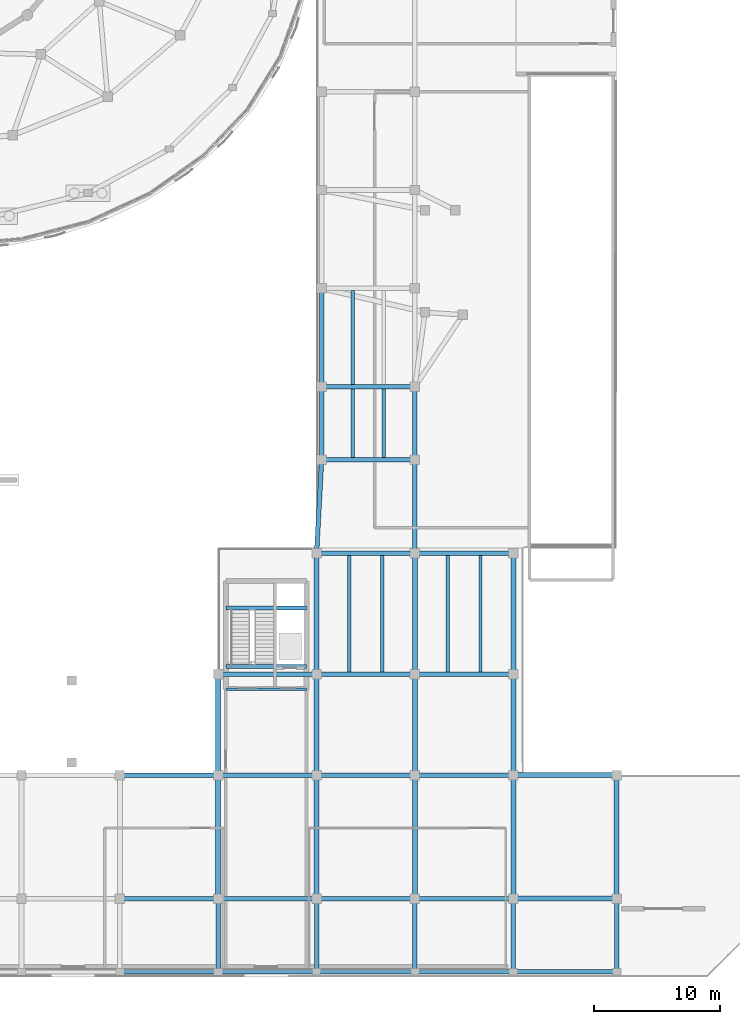
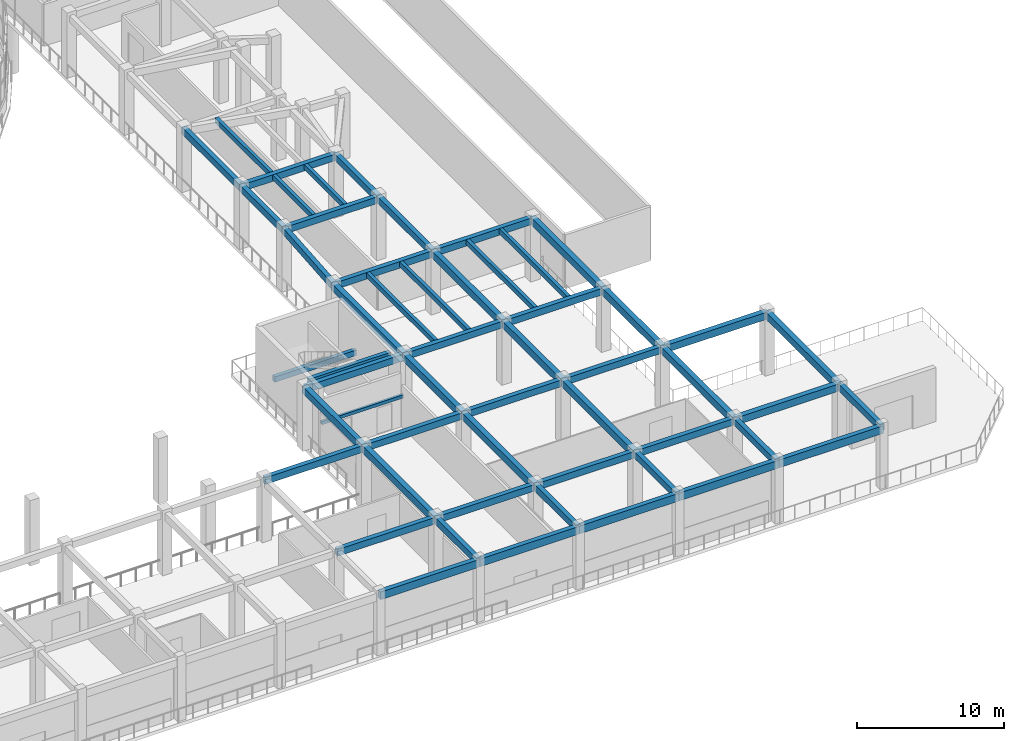
# One storey, part 49 of 96: 54 beams.
"""IFC4 building model written with IfcOpenShell, lengths in metres."""

from ifc_helpers import new_model, si_unit, direction, frame, origin, origin_2d, place, context, subcontext, project, spatial, rectangle, extrude, material, material_profile, profile_set, type_object, element, save


model = new_model("IFC4")

# Units and contexts
model_context = context("Model", 3, precision=1e-05, world=origin(), true_north=direction((0.0, 1.0)))
body_context = subcontext(model_context, "Body", "Model", "MODEL_VIEW")
ifc_project = project(units=[si_unit("LENGTHUNIT", "METRE"), si_unit("AREAUNIT", "SQUARE_METRE"), si_unit("VOLUMEUNIT", "CUBIC_METRE"), si_unit("PLANEANGLEUNIT", "RADIAN"), si_unit("MASSUNIT", "GRAM", prefix="KILO")], contexts=[model_context])

# Site, building, storey
site_placement = place(None, origin())
site = spatial("IfcSite", under=ifc_project, at=site_placement, CompositionType="ELEMENT")
building_placement = place(site_placement, origin())
building = spatial("IfcBuilding", under=site, at=building_placement, Name="Pelvatis Terrace Science Centre", CompositionType="ELEMENT")
storey_placement = place(building_placement, origin())
storey = spatial("IfcBuildingStorey", under=building, at=storey_placement, Name="L00", CompositionType="ELEMENT", Elevation=0.0)

# Beams
ifc_material_1 = material(Name="Concrete C35/45", Category="concrete")
ifc_material_profile_1 = material_profile(ifc_material_1, rectangle(XDim=0.300048828125, YDim=0.449951171875, at=origin_2d()), Name="RC-BM 300x450")
ifc_profile_set_1 = profile_set([ifc_material_profile_1], Name="Concrete C35/45")
beam_type_1 = type_object("IfcBeamType", Name="BM-RC-300x450", PredefinedType="BEAM", material=ifc_profile_set_1)
beam_1_placement = place(storey_placement, frame((133.199951171875, 29.25, 2.27490234375), z_axis=(1.0, 0.0, 0.0), x_axis=(0.0, 1.0, 0.0)))
element("IfcBeam", 1, at=beam_1_placement, inside=storey, type_object=beam_type_1, Name="Core C4 half-landing beam (L00)", PredefinedType="BEAM", context=body_context, shape_type="SweptSolid", body=[
    extrude(rectangle(XDim=0.300048828125, YDim=0.449951171875, at=origin_2d()), origin(), (0.0, 0.0, 1.0), 6.400146484375),
])
ifc_material_2 = material(Name="Concrete C35/45", Category="concrete")
ifc_material_profile_2 = material_profile(ifc_material_2, rectangle(XDim=0.320068359375, YDim=0.47998046875, at=origin_2d()), Name="RC-BM 320x480")
ifc_profile_set_2 = profile_set([ifc_material_profile_2], Name="Concrete C35/45")
beam_type_2 = type_object("IfcBeamType", Name="BM-RC-320x480", PredefinedType="BEAM", material=ifc_profile_set_2)
beam_2_placement = place(storey_placement, frame((133.199951171875, 24.60009765625, 4.89990234375), z_axis=(1.0, 0.0, 0.0), x_axis=(0.0, 1.0, 0.0)))
element("IfcBeam", 2, at=beam_2_placement, inside=storey, type_object=beam_type_2, Name="Core C4 stair header beam (L00)", PredefinedType="BEAM", context=body_context, shape_type="SweptSolid", body=[
    extrude(rectangle(XDim=0.320068359375, YDim=0.47998046875, at=origin_2d()), origin(), (0.0, 0.0, 1.0), 6.400146484375),
])
ifc_material_3 = material(Name="Concrete C35/45", Category="concrete")
ifc_material_profile_3 = material_profile(ifc_material_3, rectangle(XDim=0.360107421875, YDim=0.550048828125, at=origin_2d()), Name="RC-BM 360x550")
ifc_profile_set_3 = profile_set([ifc_material_profile_3], Name="Concrete C35/45")
beam_type_3 = type_object("IfcBeamType", Name="BM-RC-360x550", PredefinedType="BEAM", material=ifc_profile_set_3)
for number, where, z_axis, x_axis, name in (
    (3, (124.800048828125, 6.199951171875, 4.864990234375), (1.0, 0.0, 0.0), (0.0, 1.0, 0.0), "Beam BM-L00-2437"),
    (4, (124.800048828125, 16.0, 4.864990234375), (1.0, 0.0, 0.0), (0.0, 1.0, 0.0), "Beam BM-L00-2438"),
):
    element("IfcBeam", number, at=place(storey_placement, frame(where, z_axis=z_axis, x_axis=x_axis)), inside=storey, type_object=beam_type_3, Name=name, PredefinedType="BEAM", context=body_context, shape_type="SweptSolid", body=[
        extrude(rectangle(XDim=0.360107421875, YDim=0.550048828125, at=origin_2d()), origin(), (0.0, 0.0, 1.0), 7.800048828125),
    ])
beam_3_placement = place(storey_placement, frame((132.60009765625, 0.39990234375, 4.864990234375), z_axis=(0.0, 1.0, 0.0), x_axis=(-1.0, 0.0, 0.0)))
element("IfcBeam", 5, at=beam_3_placement, inside=storey, type_object=beam_type_3, Name="Beam BM-L00-2439", PredefinedType="BEAM", context=body_context, shape_type="SweptSolid", body=[
    extrude(rectangle(XDim=0.360107421875, YDim=0.550048828125, at=origin_2d()), origin(), (0.0, 0.0, 1.0), 5.800048828125),
])
for number, where, z_axis, x_axis, name in (
    (6, (132.60009765625, 6.199951171875, 4.864990234375), (1.0, 0.0, 0.0), (0.0, 1.0, 0.0), "Beam BM-L00-2442"),
    (7, (132.60009765625, 16.0, 4.864990234375), (1.0, 0.0, 0.0), (0.0, 1.0, 0.0), "Beam BM-L00-2444"),
    (8, (132.60009765625, 24.0, 4.864990234375), (1.0, 0.0, 0.0), (0.0, 1.0, 0.0), "Beam BM-L00-2445"),
):
    element("IfcBeam", number, at=place(storey_placement, frame(where, z_axis=z_axis, x_axis=x_axis)), inside=storey, type_object=beam_type_3, Name=name, PredefinedType="BEAM", context=body_context, shape_type="SweptSolid", body=[
        extrude(rectangle(XDim=0.360107421875, YDim=0.550048828125, at=origin_2d()), origin(), (0.0, 0.0, 1.0), 7.7998046875),
    ])
beam_4_placement = place(storey_placement, frame((140.39990234375, 0.39990234375, 4.864990234375), z_axis=(0.0, 1.0, 0.0), x_axis=(-1.0, 0.0, 0.0)))
element("IfcBeam", 9, at=beam_4_placement, inside=storey, type_object=beam_type_3, Name="Beam BM-L00-2446", PredefinedType="BEAM", context=body_context, shape_type="SweptSolid", body=[
    extrude(rectangle(XDim=0.360107421875, YDim=0.550048828125, at=origin_2d()), origin(), (0.0, 0.0, 1.0), 5.800048828125),
])
for number, where, z_axis, x_axis, name in (
    (10, (140.39990234375, 6.199951171875, 4.864990234375), (1.0, 0.0, 0.0), (0.0, 1.0, 0.0), "Beam BM-L00-2449"),
    (11, (140.39990234375, 16.0, 4.864990234375), (1.0, 0.0, 0.0), (0.0, 1.0, 0.0), "Beam BM-L00-2451"),
    (12, (140.39990234375, 24.0, 4.864990234375), (1.0, 0.0, 0.0), (0.0, 1.0, 0.0), "Beam BM-L00-2453"),
    (13, (140.39990234375, 33.60009765625, 4.864990234375), (1.0, 0.0, 0.0), (0.0, 1.0, 0.0), "Beam BM-L00-2454"),
):
    element("IfcBeam", number, at=place(storey_placement, frame(where, z_axis=z_axis, x_axis=x_axis)), inside=storey, type_object=beam_type_3, Name=name, PredefinedType="BEAM", context=body_context, shape_type="SweptSolid", body=[
        extrude(rectangle(XDim=0.360107421875, YDim=0.550048828125, at=origin_2d()), origin(), (0.0, 0.0, 1.0), 7.800048828125),
    ])
beam_5_placement = place(storey_placement, frame((140.39990234375, 33.60009765625, 4.864990234375), z_axis=(0.05399567722, 0.998541169327, 0.0), x_axis=(-0.998541169327, 0.05399567722, 0.0)))
element("IfcBeam", 14, at=beam_5_placement, inside=storey, type_object=beam_type_3, Name="Beam BM-L00-2455", PredefinedType="BEAM", context=body_context, shape_type="SweptSolid", body=[
    extrude(rectangle(XDim=0.360107421875, YDim=0.550048828125, at=origin_2d()), origin(), (0.0, 0.0, 1.0), 7.41064453125),
])
beam_6_placement = place(storey_placement, frame((148.199951171875, 0.39990234375, 4.864990234375), z_axis=(0.0, 1.0, 0.0), x_axis=(-1.0, 0.0, 0.0)))
element("IfcBeam", 15, at=beam_6_placement, inside=storey, type_object=beam_type_3, Name="Beam BM-L00-2456", PredefinedType="BEAM", context=body_context, shape_type="SweptSolid", body=[
    extrude(rectangle(XDim=0.360107421875, YDim=0.550048828125, at=origin_2d()), origin(), (0.0, 0.0, 1.0), 5.800048828125),
])
for number, where, z_axis, x_axis, name in (
    (16, (148.199951171875, 6.199951171875, 4.864990234375), (1.0, 0.0, 0.0), (0.0, 1.0, 0.0), "Beam BM-L00-2459"),
    (17, (148.199951171875, 16.0, 4.864990234375), (1.0, 0.0, 0.0), (0.0, 1.0, 0.0), "Beam BM-L00-2461"),
    (18, (148.199951171875, 24.0, 4.864990234375), (1.0, 0.0, 0.0), (0.0, 1.0, 0.0), "Beam BM-L00-2463"),
    (19, (148.199951171875, 33.60009765625, 4.864990234375), (1.0, 0.0, 0.0), (0.0, 1.0, 0.0), "Beam BM-L00-2464"),
):
    element("IfcBeam", number, at=place(storey_placement, frame(where, z_axis=z_axis, x_axis=x_axis)), inside=storey, type_object=beam_type_3, Name=name, PredefinedType="BEAM", context=body_context, shape_type="SweptSolid", body=[
        extrude(rectangle(XDim=0.360107421875, YDim=0.550048828125, at=origin_2d()), origin(), (0.0, 0.0, 1.0), 7.800048828125),
    ])
beam_7_placement = place(storey_placement, frame((148.199951171875, 33.60009765625, 4.864990234375), z_axis=(0.0, 1.0, 0.0), x_axis=(-1.0, 0.0, 0.0)))
element("IfcBeam", 20, at=beam_7_placement, inside=storey, type_object=beam_type_3, Name="Beam BM-L00-2465", PredefinedType="BEAM", context=body_context, shape_type="SweptSolid", body=[
    extrude(rectangle(XDim=0.360107421875, YDim=0.550048828125, at=origin_2d()), origin(), (0.0, 0.0, 1.0), 7.39990234375),
])
for number, where, z_axis, x_axis, name in (
    (21, (156.0, 0.39990234375, 4.864990234375), (0.0, 1.0, 0.0), (-1.0, 0.0, 0.0), "Beam BM-L00-2466"),
    (22, (164.199951171875, 0.39990234375, 4.864990234375), (0.0, 1.0, 0.0), (-1.0, 0.0, 0.0), "Beam BM-L00-2473"),
    (23, (140.800048828125, 41.0, 4.864990234375), (0.0, 1.0, 0.0), (-1.0, 0.0, 0.0), "Beam BM-L00-2476"),
):
    element("IfcBeam", number, at=place(storey_placement, frame(where, z_axis=z_axis, x_axis=x_axis)), inside=storey, type_object=beam_type_3, Name=name, PredefinedType="BEAM", context=body_context, shape_type="SweptSolid", body=[
        extrude(rectangle(XDim=0.360107421875, YDim=0.550048828125, at=origin_2d()), origin(), (0.0, 0.0, 1.0), 5.800048828125),
    ])
beam_8_placement = place(storey_placement, frame((140.800048828125, 41.0, 4.864990234375), z_axis=(1.0, 0.0, 0.0), x_axis=(0.0, 1.0, 0.0)))
element("IfcBeam", 24, at=beam_8_placement, inside=storey, type_object=beam_type_3, Name="Beam BM-L00-2477", PredefinedType="BEAM", context=body_context, shape_type="SweptSolid", body=[
    extrude(rectangle(XDim=0.360107421875, YDim=0.550048828125, at=origin_2d()), origin(), (0.0, 0.0, 1.0), 7.39990234375),
])
beam_9_placement = place(storey_placement, frame((140.800048828125, 46.800048828125, 4.864990234375), z_axis=(0.0, 1.0, 0.0), x_axis=(-1.0, 0.0, 0.0)))
element("IfcBeam", 25, at=beam_9_placement, inside=storey, type_object=beam_type_3, Name="Beam BM-L00-2478", PredefinedType="BEAM", context=body_context, shape_type="SweptSolid", body=[
    extrude(rectangle(XDim=0.360107421875, YDim=0.550048828125, at=origin_2d()), origin(), (0.0, 0.0, 1.0), 7.800048828125),
])
beam_10_placement = place(storey_placement, frame((140.800048828125, 46.800048828125, 4.864990234375), z_axis=(1.0, 0.0, 0.0), x_axis=(0.0, 1.0, 0.0)))
element("IfcBeam", 26, at=beam_10_placement, inside=storey, type_object=beam_type_3, Name="Beam BM-L00-2479", PredefinedType="BEAM", context=body_context, shape_type="SweptSolid", body=[
    extrude(rectangle(XDim=0.360107421875, YDim=0.550048828125, at=origin_2d()), origin(), (0.0, 0.0, 1.0), 7.39990234375),
])
beam_11_placement = place(storey_placement, frame((148.199951171875, 41.0, 4.864990234375), z_axis=(0.0, 1.0, 0.0), x_axis=(-1.0, 0.0, 0.0)))
element("IfcBeam", 27, at=beam_11_placement, inside=storey, type_object=beam_type_3, Name="Beam BM-L00-2490", PredefinedType="BEAM", context=body_context, shape_type="SweptSolid", body=[
    extrude(rectangle(XDim=0.360107421875, YDim=0.550048828125, at=origin_2d()), origin(), (0.0, 0.0, 1.0), 5.800048828125),
])
ifc_material_4 = material(Name="Concrete C35/45", Category="concrete")
ifc_material_profile_4 = material_profile(ifc_material_4, rectangle(XDim=0.39990234375, YDim=0.60009765625, at=origin_2d()), Name="RC-BM 400x600")
ifc_profile_set_4 = profile_set([ifc_material_profile_4], Name="Concrete C35/45")
beam_type_4 = type_object("IfcBeamType", Name="BM-RC-400x600", PredefinedType="BEAM", material=ifc_profile_set_4)
beam_12_placement = place(storey_placement, frame((132.60009765625, 6.199951171875, 4.840087890625), z_axis=(0.0, 1.0, 0.0), x_axis=(-1.0, 0.0, 0.0)))
element("IfcBeam", 28, at=beam_12_placement, inside=storey, type_object=beam_type_4, Name="Beam BM-L00-2441", PredefinedType="BEAM", context=body_context, shape_type="SweptSolid", body=[
    extrude(rectangle(XDim=0.39990234375, YDim=0.60009765625, at=origin_2d()), origin(), (0.0, 0.0, 1.0), 9.800048828125),
])
beam_13_placement = place(storey_placement, frame((132.60009765625, 16.0, 4.840087890625), z_axis=(0.0, 1.0, 0.0), x_axis=(-1.0, 0.0, 0.0)))
element("IfcBeam", 29, at=beam_13_placement, inside=storey, type_object=beam_type_4, Name="Beam BM-L00-2443", PredefinedType="BEAM", context=body_context, shape_type="SweptSolid", body=[
    extrude(rectangle(XDim=0.39990234375, YDim=0.60009765625, at=origin_2d()), origin(), (0.0, 0.0, 1.0), 8.0),
])
beam_14_placement = place(storey_placement, frame((140.39990234375, 6.199951171875, 4.840087890625), z_axis=(0.0, 1.0, 0.0), x_axis=(-1.0, 0.0, 0.0)))
element("IfcBeam", 30, at=beam_14_placement, inside=storey, type_object=beam_type_4, Name="Beam BM-L00-2448", PredefinedType="BEAM", context=body_context, shape_type="SweptSolid", body=[
    extrude(rectangle(XDim=0.39990234375, YDim=0.60009765625, at=origin_2d()), origin(), (0.0, 0.0, 1.0), 9.800048828125),
])
beam_15_placement = place(storey_placement, frame((140.39990234375, 16.0, 4.840087890625), z_axis=(0.0, 1.0, 0.0), x_axis=(-1.0, 0.0, 0.0)))
element("IfcBeam", 31, at=beam_15_placement, inside=storey, type_object=beam_type_4, Name="Beam BM-L00-2450", PredefinedType="BEAM", context=body_context, shape_type="SweptSolid", body=[
    extrude(rectangle(XDim=0.39990234375, YDim=0.60009765625, at=origin_2d()), origin(), (0.0, 0.0, 1.0), 8.0),
])
beam_16_placement = place(storey_placement, frame((140.39990234375, 24.0, 4.840087890625), z_axis=(0.0, 1.0, 0.0), x_axis=(-1.0, 0.0, 0.0)))
element("IfcBeam", 32, at=beam_16_placement, inside=storey, type_object=beam_type_4, Name="Beam BM-L00-2452", PredefinedType="BEAM", context=body_context, shape_type="SweptSolid", body=[
    extrude(rectangle(XDim=0.39990234375, YDim=0.60009765625, at=origin_2d()), origin(), (0.0, 0.0, 1.0), 9.60009765625),
])
beam_17_placement = place(storey_placement, frame((148.199951171875, 6.199951171875, 4.840087890625), z_axis=(0.0, 1.0, 0.0), x_axis=(-1.0, 0.0, 0.0)))
element("IfcBeam", 33, at=beam_17_placement, inside=storey, type_object=beam_type_4, Name="Beam BM-L00-2458", PredefinedType="BEAM", context=body_context, shape_type="SweptSolid", body=[
    extrude(rectangle(XDim=0.39990234375, YDim=0.60009765625, at=origin_2d()), origin(), (0.0, 0.0, 1.0), 9.800048828125),
])
beam_18_placement = place(storey_placement, frame((148.199951171875, 16.0, 4.840087890625), z_axis=(0.0, 1.0, 0.0), x_axis=(-1.0, 0.0, 0.0)))
element("IfcBeam", 34, at=beam_18_placement, inside=storey, type_object=beam_type_4, Name="Beam BM-L00-2460", PredefinedType="BEAM", context=body_context, shape_type="SweptSolid", body=[
    extrude(rectangle(XDim=0.39990234375, YDim=0.60009765625, at=origin_2d()), origin(), (0.0, 0.0, 1.0), 8.0),
])
beam_19_placement = place(storey_placement, frame((148.199951171875, 24.0, 4.840087890625), z_axis=(0.0, 1.0, 0.0), x_axis=(-1.0, 0.0, 0.0)))
element("IfcBeam", 35, at=beam_19_placement, inside=storey, type_object=beam_type_4, Name="Beam BM-L00-2462", PredefinedType="BEAM", context=body_context, shape_type="SweptSolid", body=[
    extrude(rectangle(XDim=0.39990234375, YDim=0.60009765625, at=origin_2d()), origin(), (0.0, 0.0, 1.0), 9.60009765625),
])
beam_20_placement = place(storey_placement, frame((156.0, 6.199951171875, 4.840087890625), z_axis=(0.0, 1.0, 0.0), x_axis=(-1.0, 0.0, 0.0)))
element("IfcBeam", 36, at=beam_20_placement, inside=storey, type_object=beam_type_4, Name="Beam BM-L00-2468", PredefinedType="BEAM", context=body_context, shape_type="SweptSolid", body=[
    extrude(rectangle(XDim=0.39990234375, YDim=0.60009765625, at=origin_2d()), origin(), (0.0, 0.0, 1.0), 9.800048828125),
])
beam_21_placement = place(storey_placement, frame((156.0, 6.199951171875, 4.840087890625), z_axis=(1.0, 0.0, 0.0), x_axis=(0.0, 1.0, 0.0)))
element("IfcBeam", 37, at=beam_21_placement, inside=storey, type_object=beam_type_4, Name="Beam BM-L00-2469", PredefinedType="BEAM", context=body_context, shape_type="SweptSolid", body=[
    extrude(rectangle(XDim=0.39990234375, YDim=0.60009765625, at=origin_2d()), origin(), (0.0, 0.0, 1.0), 8.199951171875),
])
beam_22_placement = place(storey_placement, frame((156.0, 16.0, 4.840087890625), z_axis=(0.0, 1.0, 0.0), x_axis=(-1.0, 0.0, 0.0)))
element("IfcBeam", 38, at=beam_22_placement, inside=storey, type_object=beam_type_4, Name="Beam BM-L00-2470", PredefinedType="BEAM", context=body_context, shape_type="SweptSolid", body=[
    extrude(rectangle(XDim=0.39990234375, YDim=0.60009765625, at=origin_2d()), origin(), (0.0, 0.0, 1.0), 8.0),
])
beam_23_placement = place(storey_placement, frame((156.0, 16.0, 4.840087890625), z_axis=(1.0, 0.0, 0.0), x_axis=(0.0, 1.0, 0.0)))
element("IfcBeam", 39, at=beam_23_placement, inside=storey, type_object=beam_type_4, Name="Beam BM-L00-2471", PredefinedType="BEAM", context=body_context, shape_type="SweptSolid", body=[
    extrude(rectangle(XDim=0.39990234375, YDim=0.60009765625, at=origin_2d()), origin(), (0.0, 0.0, 1.0), 8.199951171875),
])
beam_24_placement = place(storey_placement, frame((156.0, 24.0, 4.840087890625), z_axis=(0.0, 1.0, 0.0), x_axis=(-1.0, 0.0, 0.0)))
element("IfcBeam", 40, at=beam_24_placement, inside=storey, type_object=beam_type_4, Name="Beam BM-L00-2472", PredefinedType="BEAM", context=body_context, shape_type="SweptSolid", body=[
    extrude(rectangle(XDim=0.39990234375, YDim=0.60009765625, at=origin_2d()), origin(), (0.0, 0.0, 1.0), 9.60009765625),
])
beam_25_placement = place(storey_placement, frame((164.199951171875, 6.199951171875, 4.840087890625), z_axis=(0.0, 1.0, 0.0), x_axis=(-1.0, 0.0, 0.0)))
element("IfcBeam", 41, at=beam_25_placement, inside=storey, type_object=beam_type_4, Name="Beam BM-L00-2474", PredefinedType="BEAM", context=body_context, shape_type="SweptSolid", body=[
    extrude(rectangle(XDim=0.39990234375, YDim=0.60009765625, at=origin_2d()), origin(), (0.0, 0.0, 1.0), 9.800048828125),
])
ifc_material_5 = material(Name="Concrete C35/45", Category="concrete")
ifc_material_profile_5 = material_profile(ifc_material_5, rectangle(XDim=0.260009765625, YDim=0.419921875, at=origin_2d()), Name="RC-JST 260x420")
ifc_profile_set_5 = profile_set([ifc_material_profile_5], Name="Concrete C35/45")
beam_type_5 = type_object("IfcBeamType", Name="JST-RC-260x420", PredefinedType="JOIST", material=ifc_profile_set_5)
for number, where, z_axis, x_axis, name in (
    (42, (143.0, 24.179931640625, 4.929931640625), (0.0, 1.0, 0.0), (-1.0, 0.0, 0.0), "Secondary floor joist J-L00-2065"),
    (43, (145.60009765625, 24.179931640625, 4.929931640625), (0.0, 1.0, 0.0), (-1.0, 0.0, 0.0), "Secondary floor joist J-L00-2066"),
    (44, (150.800048828125, 24.179931640625, 4.929931640625), (0.0, 1.0, 0.0), (-1.0, 0.0, 0.0), "Secondary floor joist J-L00-2067"),
    (45, (153.39990234375, 24.179931640625, 4.929931640625), (0.0, 1.0, 0.0), (-1.0, 0.0, 0.0), "Secondary floor joist J-L00-2068"),
):
    element("IfcBeam", number, at=place(storey_placement, frame(where, z_axis=z_axis, x_axis=x_axis)), inside=storey, type_object=beam_type_5, Name=name, PredefinedType="JOIST", context=body_context, shape_type="SweptSolid", body=[
        extrude(rectangle(XDim=0.260009765625, YDim=0.419921875, at=origin_2d()), origin(), (0.0, 0.0, 1.0), 9.239990234375),
    ])
for number, where, z_axis, x_axis, name in (
    (46, (143.2666015625, 41.179931640625, 4.929931640625), (0.0, 1.0, 0.0), (-1.0, 0.0, 0.0), "Secondary floor joist J-L00-2069"),
    (47, (145.7333984375, 41.179931640625, 4.929931640625), (0.0, 1.0, 0.0), (-1.0, 0.0, 0.0), "Secondary floor joist J-L00-2070"),
):
    element("IfcBeam", number, at=place(storey_placement, frame(where, z_axis=z_axis, x_axis=x_axis)), inside=storey, type_object=beam_type_5, Name=name, PredefinedType="JOIST", context=body_context, shape_type="SweptSolid", body=[
        extrude(rectangle(XDim=0.260009765625, YDim=0.419921875, at=origin_2d()), origin(), (0.0, 0.0, 1.0), 5.440185546875),
    ])
beam_26_placement = place(storey_placement, frame((143.2666015625, 46.97998046875, 4.929931640625), z_axis=(0.0, 1.0, 0.0), x_axis=(-1.0, 0.0, 0.0)))
element("IfcBeam", 48, at=beam_26_placement, inside=storey, type_object=beam_type_5, Name="Secondary floor joist J-L00-2071", PredefinedType="JOIST", context=body_context, shape_type="SweptSolid", body=[
    extrude(rectangle(XDim=0.260009765625, YDim=0.419921875, at=origin_2d()), origin(), (0.0, 0.0, 1.0), 7.43994140625),
])
ifc_material_6 = material(Name="Concrete C35/45", Category="concrete")
ifc_material_profile_6 = material_profile(ifc_material_6, rectangle(XDim=0.199951171875, YDim=0.260009765625, at=origin_2d()), Name="RC-LNT 200x260")
ifc_profile_set_6 = profile_set([ifc_material_profile_6], Name="Concrete C35/45")
beam_type_6 = type_object("IfcBeamType", Name="LNT-RC-200x260", PredefinedType="LINTEL", material=ifc_profile_set_6)
beam_27_placement = place(storey_placement, frame((133.199951171875, 22.800048828125, 2.550048828125), z_axis=(1.0, 0.0, 0.0), x_axis=(0.0, 1.0, 0.0)))
element("IfcBeam", 49, at=beam_27_placement, inside=storey, type_object=beam_type_6, Name="Core C4 lobby structural lintel (L00)", PredefinedType="LINTEL", context=body_context, shape_type="SweptSolid", body=[
    extrude(rectangle(XDim=0.199951171875, YDim=0.260009765625, at=origin_2d()), origin(), (0.0, 0.0, 1.0), 6.400146484375),
])
ifc_material_7 = material(Name="Concrete C35/45", Category="concrete")
ifc_material_profile_7 = material_profile(ifc_material_7, rectangle(XDim=0.360107421875, YDim=0.639892578125, at=origin_2d()), Name="RC-SPN 360x640")
ifc_profile_set_7 = profile_set([ifc_material_profile_7], Name="Concrete C35/45")
beam_type_7 = type_object("IfcBeamType", Name="SPN-RC-360x640", PredefinedType="SPANDREL", material=ifc_profile_set_7)
beam_28_placement = place(storey_placement, frame((124.800048828125, 0.39990234375, 4.820068359375), z_axis=(1.0, 0.0, 0.0), x_axis=(0.0, 1.0, 0.0)))
element("IfcBeam", 50, at=beam_28_placement, inside=storey, type_object=beam_type_7, Name="Spandrel SP-L00-2435", PredefinedType="SPANDREL", context=body_context, shape_type="SweptSolid", body=[
    extrude(rectangle(XDim=0.360107421875, YDim=0.639892578125, at=origin_2d()), origin(), (0.0, 0.0, 1.0), 7.800048828125),
])
beam_29_placement = place(storey_placement, frame((132.60009765625, 0.39990234375, 4.820068359375), z_axis=(1.0, 0.0, 0.0), x_axis=(0.0, 1.0, 0.0)))
element("IfcBeam", 51, at=beam_29_placement, inside=storey, type_object=beam_type_7, Name="Spandrel SP-L00-2440", PredefinedType="SPANDREL", context=body_context, shape_type="SweptSolid", body=[
    extrude(rectangle(XDim=0.360107421875, YDim=0.639892578125, at=origin_2d()), origin(), (0.0, 0.0, 1.0), 7.7998046875),
])
for number, where, z_axis, x_axis, name in (
    (52, (140.39990234375, 0.39990234375, 4.820068359375), (1.0, 0.0, 0.0), (0.0, 1.0, 0.0), "Spandrel SP-L00-2447"),
    (53, (148.199951171875, 0.39990234375, 4.820068359375), (1.0, 0.0, 0.0), (0.0, 1.0, 0.0), "Spandrel SP-L00-2457"),
):
    element("IfcBeam", number, at=place(storey_placement, frame(where, z_axis=z_axis, x_axis=x_axis)), inside=storey, type_object=beam_type_7, Name=name, PredefinedType="SPANDREL", context=body_context, shape_type="SweptSolid", body=[
        extrude(rectangle(XDim=0.360107421875, YDim=0.639892578125, at=origin_2d()), origin(), (0.0, 0.0, 1.0), 7.800048828125),
    ])
beam_30_placement = place(storey_placement, frame((156.0, 0.39990234375, 4.820068359375), z_axis=(1.0, 0.0, 0.0), x_axis=(0.0, 1.0, 0.0)))
element("IfcBeam", 54, at=beam_30_placement, inside=storey, type_object=beam_type_7, Name="Spandrel SP-L00-2467", PredefinedType="SPANDREL", context=body_context, shape_type="SweptSolid", body=[
    extrude(rectangle(XDim=0.360107421875, YDim=0.639892578125, at=origin_2d()), origin(), (0.0, 0.0, 1.0), 8.199951171875),
])

save(model, "model.ifc")
